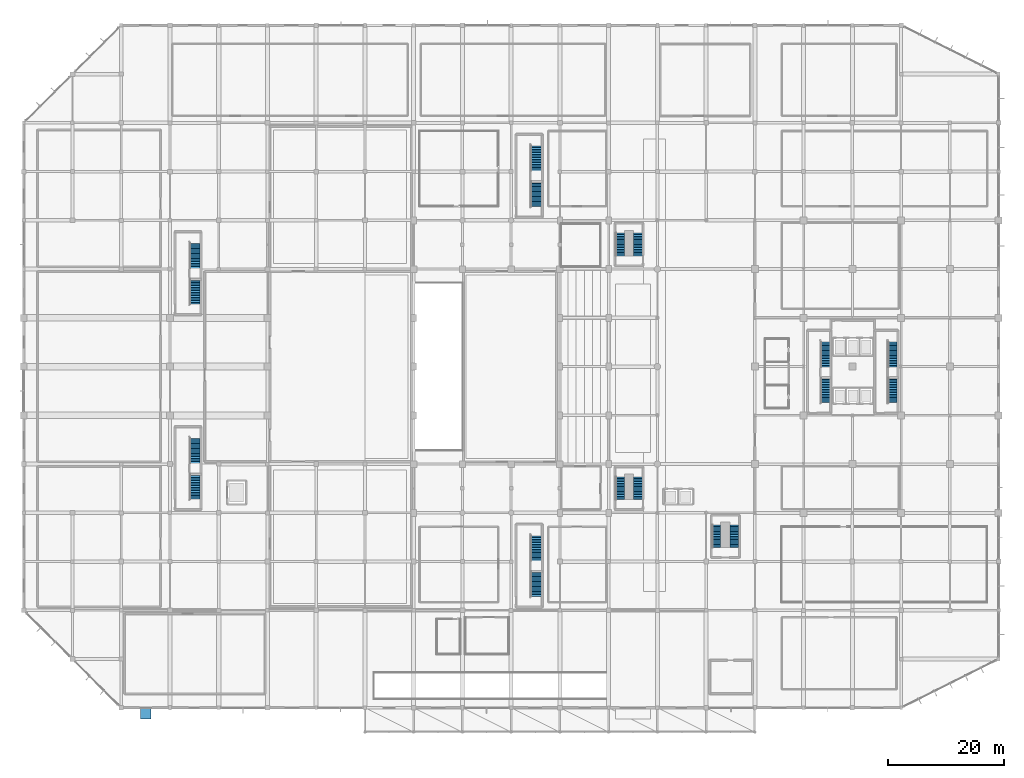
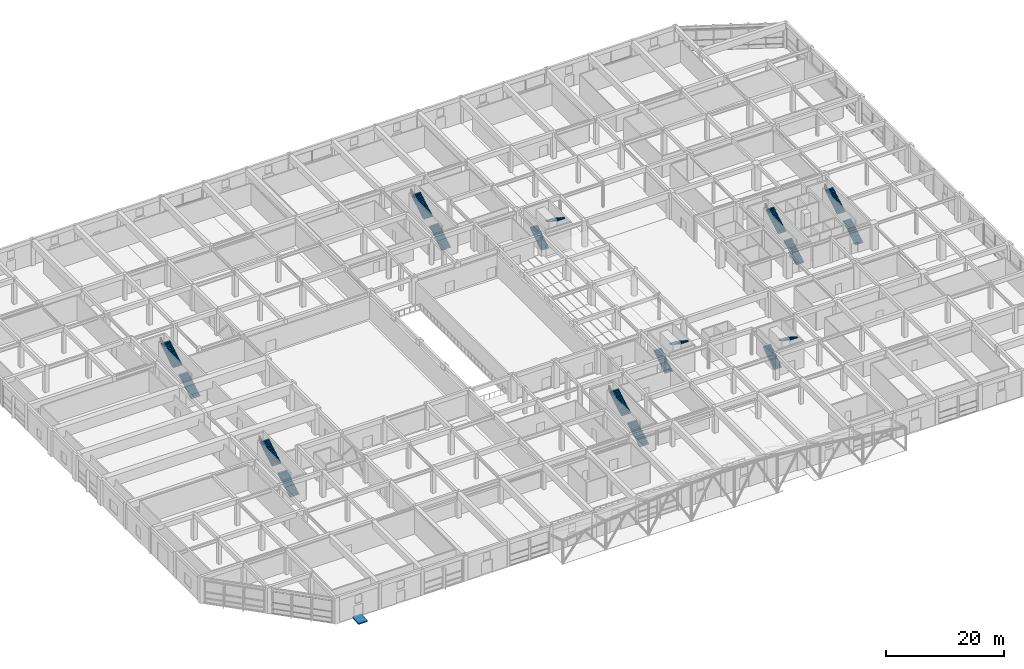
# One storey, part 51 of 62: 18 stair flights, 1 ramp flight, 10 elements without a shape of their own.
"""IFC4 building model written with IfcOpenShell, lengths in metres."""

import ifcopenshell
import ifcopenshell.guid

model = None  # the IFC model being written
_history = None  # IfcOwnerHistory: only IFC2X3 demands one
_inside = {}  # id of a spatial element -> (the spatial element, [elements in it])
_under = {}  # id of a project, library or spatial element -> (it, [spatial elements below it])
_declared = {}  # id of a project -> (the project, [libraries it declares])
_typed = {}  # id of a type object -> (the type object, [elements of that type])
_made_of = {}  # id of a material, layer set ... -> (it, [elements and type objects made of it])


def new_model(schema):
    """Start an empty IFC model of exactly this schema.

    Asked for "IFC4X3", IfcOpenShell would pick the latest addendum, in which some entities
    have other attributes; the version numbers below select the first issue.
    IFC2X3 requires an IfcOwnerHistory on every rooted entity: one is made here for all.
    """
    global model, _history
    if schema == "IFC4X3":
        model = ifcopenshell.file(schema_version=(4, 3, 0, 0))
    else:
        model = ifcopenshell.file(schema=schema)
    _inside.clear()
    _under.clear()
    _declared.clear()
    _typed.clear()
    _made_of.clear()
    _history = None
    if model.schema == "IFC2X3":
        org = make("IfcOrganization", Name="unknown")
        user = make(
            "IfcPersonAndOrganization",
            ThePerson=make("IfcPerson", FamilyName="unknown"),
            TheOrganization=org,
        )
        app = make(
            "IfcApplication",
            ApplicationDeveloper=org,
            Version="unknown",
            ApplicationFullName="unknown",
            ApplicationIdentifier="unknown",
        )
        _history = make(
            "IfcOwnerHistory",
            OwningUser=user,
            OwningApplication=app,
            ChangeAction="ADDED",
            CreationDate=0,
        )
    return model


def make(cls, **values):
    """One entity of the class cls with the attributes given. An attribute that is None is left unset."""
    return model.create_entity(
        cls, **{name: value for name, value in values.items() if value is not None}
    )


def rooted(cls, **values):
    """An entity with a GlobalId (a new one), such as an element, a storey or a relation."""
    return make(cls, GlobalId=ifcopenshell.guid.new(), OwnerHistory=_history, **values)


def si_unit(unit_type, name, prefix=None):
    """IfcSIUnit, for example si_unit("LENGTHUNIT", "METRE", prefix="MILLI")."""
    return make("IfcSIUnit", UnitType=unit_type, Prefix=prefix, Name=name)


def assignment(units):
    """IfcUnitAssignment: the units of a project."""
    return None if units is None else make("IfcUnitAssignment", Units=units)


def point(xyz):
    """IfcCartesianPoint."""
    return None if xyz is None else make("IfcCartesianPoint", Coordinates=xyz)


def direction(xyz):
    """IfcDirection."""
    return None if xyz is None else make("IfcDirection", DirectionRatios=xyz)


def frame(location, z_axis=None, x_axis=None):
    """IfcAxis2Placement3D, a coordinate frame: its origin and axes. An axis left out is left unset."""
    return make(
        "IfcAxis2Placement3D",
        Location=point(location),
        Axis=direction(z_axis),
        RefDirection=direction(x_axis),
    )


def origin():
    """The frame at (0, 0, 0) with its axes left unset."""
    return frame((0.0, 0.0, 0.0))


def place(relative_to, where):
    """IfcLocalPlacement: puts the frame where relative to a parent placement (None: the world)."""
    return make(
        "IfcLocalPlacement", PlacementRelTo=relative_to, RelativePlacement=where
    )


def context(
    kind, dimensions, precision=None, world=None, true_north=None, identifier=None
):
    """IfcGeometricRepresentationContext, for example the 3D "Model" context."""
    return make(
        "IfcGeometricRepresentationContext",
        ContextIdentifier=identifier,
        ContextType=kind,
        CoordinateSpaceDimension=dimensions,
        Precision=precision,
        WorldCoordinateSystem=world,
        TrueNorth=true_north,
    )


def subcontext(parent, identifier, kind, view, scale=None):
    """IfcGeometricRepresentationSubContext, for example "Body" below "Model"."""
    return make(
        "IfcGeometricRepresentationSubContext",
        ContextIdentifier=identifier,
        ContextType=kind,
        ParentContext=parent,
        TargetScale=scale,
        TargetView=view,
    )


def project(units=None, contexts=None):
    """IfcProject with its units and contexts."""
    return rooted(
        "IfcProject",
        Name="project",
        RepresentationContexts=contexts,
        UnitsInContext=assignment(units),
    )


def spatial(cls, under=None, at=None, **own):
    """A site, building, storey or space (cls), placed at a placement, below another one or the project."""
    s = rooted(cls, ObjectPlacement=at, **own)
    if under is not None:
        _under.setdefault(under.id(), (under, []))[1].append(s)
    return s


def polyline(points):
    """IfcPolyline through the points."""
    return make("IfcPolyline", Points=[point(p) for p in points])


def outline(outer, holes=None, kind="AREA"):
    """IfcArbitraryClosedProfileDef: a profile drawn as a closed curve; with holes, ...WithVoids."""
    if holes is None:
        return make("IfcArbitraryClosedProfileDef", ProfileType=kind, OuterCurve=outer)
    return make(
        "IfcArbitraryProfileDefWithVoids",
        ProfileType=kind,
        OuterCurve=outer,
        InnerCurves=holes,
    )


def extrude(swept, where, along, depth):
    """IfcExtrudedAreaSolid: the profile swept, set in the frame where, extruded along a direction by depth."""
    return make(
        "IfcExtrudedAreaSolid",
        SweptArea=swept,
        Position=where,
        ExtrudedDirection=direction(along),
        Depth=depth,
    )


def shape(context_of_items, identifier, shape_type, items):
    """IfcShapeRepresentation: the items that make up one representation, for example the "Body"."""
    return make(
        "IfcShapeRepresentation",
        ContextOfItems=context_of_items,
        RepresentationIdentifier=identifier,
        RepresentationType=shape_type,
        Items=items,
    )


def material(Name=None, Category=None):
    """IfcMaterial."""
    return make("IfcMaterial", Name=Name, Category=Category)


def layer(
    of_material, thickness, ventilated=None, Name=None, Category=None, Priority=None
):
    """IfcMaterialLayer: one layer of a wall or slab, of a material (None: an air gap)."""
    return make(
        "IfcMaterialLayer",
        Material=of_material,
        LayerThickness=thickness,
        IsVentilated=ventilated,
        Name=Name,
        Category=Category,
        Priority=Priority,
    )


def layer_set(layers, Name=None):
    """IfcMaterialLayerSet."""
    return make("IfcMaterialLayerSet", MaterialLayers=layers, LayerSetName=Name)


def made_of(thing, what):
    """Note that an element or type object is made of a material, layer set ...; save() writes the relation."""
    if what is not None:
        _made_of.setdefault(what.id(), (what, []))[1].append(thing)
    return thing


def type_object(cls, material=None, **own):
    """A type object (cls), such as IfcWallType, which elements share."""
    return made_of(rooted(cls, **own), material)


def element(
    cls,
    number,
    at=None,
    inside=None,
    cuts=None,
    type_object=None,
    material=None,
    context=None,
    identifier="Body",
    shape_type=None,
    held_by="IfcProductDefinitionShape",
    body=None,
    shapes=None,
    **own,
):
    """One element of the class cls, such as IfcWall. Its Tag is "e" and its number.

    at: its placement. inside: the storey or other place that contains it. cuts: it is an
    opening in that element (IfcRelVoidsElement). A single representation is given by context,
    identifier, shape_type and body (its items); several are given by shapes. held_by: the class
    of the entity that holds the representations. save() writes the other relations.
    """
    e = rooted(cls, Tag="e%d" % number, ObjectPlacement=at, **own)
    if body is not None:
        shapes = [shape(context, identifier, shape_type, body)]
    if shapes is not None:
        e.Representation = make(held_by, Representations=shapes)
    if inside is not None:
        _inside.setdefault(inside.id(), (inside, []))[1].append(e)
    if cuts is not None:
        rooted(
            "IfcRelVoidsElement", RelatingBuildingElement=cuts, RelatedOpeningElement=e
        )
    if type_object is not None:
        _typed.setdefault(type_object.id(), (type_object, []))[1].append(e)
    return made_of(e, material)


def aggregate(whole, parts):
    """IfcRelAggregates: a whole, such as a stair, and the parts it consists of."""
    return rooted("IfcRelAggregates", RelatingObject=whole, RelatedObjects=parts)


def save(model, path):
    """Write the relations noted so far, then the file.

    IfcRelAggregates (storeys below a building ...), IfcRelContainedInSpatialStructure (elements
    in a storey), IfcRelDefinesByType, IfcRelAssociatesMaterial and IfcRelDeclares: one each for
    every whole, place, type object, material and project.
    """
    for whole, parts in _under.values():
        aggregate(whole, parts)
    for where, things in _inside.values():
        rooted(
            "IfcRelContainedInSpatialStructure",
            RelatedElements=things,
            RelatingStructure=where,
        )
    for kind, things in _typed.values():
        rooted("IfcRelDefinesByType", RelatedObjects=things, RelatingType=kind)
    for what, things in _made_of.values():
        rooted("IfcRelAssociatesMaterial", RelatedObjects=things, RelatingMaterial=what)
    for by, libraries in _declared.values():
        rooted("IfcRelDeclares", RelatingContext=by, RelatedDefinitions=libraries)
    model.write(path)


model = new_model("IFC4")

# Units and contexts
model_context = context("Model", 3, precision=1e-05, world=origin(), true_north=direction((0.0, 1.0)))
body_context = subcontext(model_context, "Body", "Model", "MODEL_VIEW")
ifc_project = project(units=[si_unit("LENGTHUNIT", "METRE"), si_unit("AREAUNIT", "SQUARE_METRE"), si_unit("VOLUMEUNIT", "CUBIC_METRE"), si_unit("PLANEANGLEUNIT", "RADIAN"), si_unit("MASSUNIT", "GRAM", prefix="KILO")], contexts=[model_context])

# Site, building, storey
site_placement = place(None, origin())
site = spatial("IfcSite", under=ifc_project, at=site_placement, CompositionType="ELEMENT")
building_placement = place(site_placement, origin())
building = spatial("IfcBuilding", under=site, at=building_placement, Name="Xuanlan Plaza Opera House", CompositionType="ELEMENT")
storey_placement = place(building_placement, origin())
storey = spatial("IfcBuildingStorey", under=building, at=storey_placement, Name="L00", CompositionType="ELEMENT", Elevation=0.0)

# Stair, stair flights
ifc_material = material(Name="Concrete C40", Category="concrete")
stair_type_1 = type_object("IfcStairType", Name="INT-ST-STR-F130", PredefinedType="HALF_TURN_STAIR", material=ifc_material)
stair_1_placement = place(storey_placement, origin())
stair_1 = element("IfcStair", 1, at=stair_1_placement, inside=storey, type_object=stair_type_1, Name="Grand Foyer Feature Stair ST-F1 L00", PredefinedType="HALF_TURN_STAIR")
ifc_layer_1 = layer(ifc_material, 0.159912109375)
ifc_layer_set_1 = layer_set([ifc_layer_1], Name="Concrete C40")
stair_flight_type_1 = type_object("IfcStairFlightType", Name="INT-FL-FL-130", PredefinedType="STRAIGHT", material=ifc_layer_set_1)
stair_flight_1_placement = place(storey_placement, frame((102.75, 35.8798828125, 0.0), z_axis=(0.0, 0.0, 1.0), x_axis=(0.0, 1.0, 0.0)))
stair_flight_1 = element("IfcStairFlight", 2, at=stair_flight_1_placement, type_object=stair_flight_type_1, Name="ST-F1-L00 flight 1", NumberOfRisers=15, NumberOfTreads=14, PredefinedType="STRAIGHT", RiserHeight=0.18, TreadLength=0.28, context=body_context, shape_type="SweptSolid", body=[
    extrude(outline(polyline([(0.0, 0.0), (0.0, 0.179931640625), (0.280029296875, 0.179931640625), (0.280029296875, 0.360107421875), (0.56005859375, 0.360107421875), (0.56005859375, 0.5400390625), (0.840087890625, 0.5400390625), (0.840087890625, 0.719970703125), (1.1201171875, 0.719970703125), (1.1201171875, 0.89990234375), (1.39990234375, 0.89990234375), (1.39990234375, 1.080078125), (1.679931640625, 1.080078125), (1.679931640625, 1.260009765625), (1.9599609375, 1.260009765625), (1.9599609375, 1.43994140625), (2.239990234375, 1.43994140625), (2.239990234375, 1.6201171875), (2.52001953125, 1.6201171875), (2.52001953125, 1.800048828125), (2.800048828125, 1.800048828125), (2.800048828125, 1.97998046875), (3.080078125, 1.97998046875), (3.080078125, 2.159912109375), (3.360107421875, 2.159912109375), (3.360107421875, 2.340087890625), (3.639892578125, 2.340087890625), (3.639892578125, 2.52001953125), (3.919921875, 2.52001953125), (3.919921875, 2.699951171875), (3.919921875, 2.329833984375), (0.295654296875, 0.0), (0.0, 0.0)])), frame((0.0, 0.75, 0.0), z_axis=(0.0, -1.0, 0.0), x_axis=(1.0, 0.0, 0.0)), (0.0, 0.0, 1.0), 1.5),
])
stair_flight_2_placement = place(storey_placement, frame((105.85009765625, 39.800048828125, 2.699951171875), z_axis=(0.0, 0.0, 1.0), x_axis=(0.0, -1.0, 0.0)))
stair_flight_2 = element("IfcStairFlight", 3, at=stair_flight_2_placement, type_object=stair_flight_type_1, Name="ST-F1-L00 flight 2", NumberOfRisers=15, NumberOfTreads=14, PredefinedType="STRAIGHT", RiserHeight=0.18, TreadLength=0.28, context=body_context, shape_type="SweptSolid", body=[
    extrude(outline(polyline([(0.0, 0.0), (0.0, 0.179931640625), (0.280029296875, 0.179931640625), (0.280029296875, 0.360107421875), (0.56005859375, 0.360107421875), (0.56005859375, 0.5400390625), (0.840087890625, 0.5400390625), (0.840087890625, 0.719970703125), (1.1201171875, 0.719970703125), (1.1201171875, 0.89990234375), (1.39990234375, 0.89990234375), (1.39990234375, 1.080078125), (1.679931640625, 1.080078125), (1.679931640625, 1.260009765625), (1.9599609375, 1.260009765625), (1.9599609375, 1.43994140625), (2.239990234375, 1.43994140625), (2.239990234375, 1.6201171875), (2.52001953125, 1.6201171875), (2.52001953125, 1.800048828125), (2.800048828125, 1.800048828125), (2.800048828125, 1.97998046875), (3.080078125, 1.97998046875), (3.080078125, 2.159912109375), (3.360107421875, 2.159912109375), (3.360107421875, 2.340087890625), (3.639892578125, 2.340087890625), (3.639892578125, 2.52001953125), (3.919921875, 2.52001953125), (3.919921875, 2.699951171875), (3.919921875, 2.329833984375), (0.295654296875, 0.0), (0.0, 0.0)])), frame((0.0, 0.75, 0.0), z_axis=(0.0, -1.0, 0.0), x_axis=(1.0, 0.0, 0.0)), (0.0, 0.0, 1.0), 1.5),
])
aggregate(stair_1, [stair_flight_1, stair_flight_2])

stair_2_placement = place(storey_placement, origin())
stair_2 = element("IfcStair", 4, at=stair_2_placement, inside=storey, type_object=stair_type_1, Name="Grand Foyer Feature Stair ST-F2 L00", PredefinedType="HALF_TURN_STAIR")
stair_flight_3_placement = place(storey_placement, frame((102.75, 77.8798828125, 0.0), z_axis=(0.0, 0.0, 1.0), x_axis=(0.0, 1.0, 0.0)))
stair_flight_3 = element("IfcStairFlight", 5, at=stair_flight_3_placement, type_object=stair_flight_type_1, Name="ST-F2-L00 flight 1", NumberOfRisers=15, NumberOfTreads=14, PredefinedType="STRAIGHT", RiserHeight=0.18, TreadLength=0.28, context=body_context, shape_type="SweptSolid", body=[
    extrude(outline(polyline([(0.0, 0.0), (0.0, 0.179931640625), (0.280029296875, 0.179931640625), (0.280029296875, 0.360107421875), (0.56005859375, 0.360107421875), (0.56005859375, 0.5400390625), (0.840087890625, 0.5400390625), (0.840087890625, 0.719970703125), (1.1201171875, 0.719970703125), (1.1201171875, 0.89990234375), (1.39990234375, 0.89990234375), (1.39990234375, 1.080078125), (1.679931640625, 1.080078125), (1.679931640625, 1.260009765625), (1.9599609375, 1.260009765625), (1.9599609375, 1.43994140625), (2.239990234375, 1.43994140625), (2.239990234375, 1.6201171875), (2.52001953125, 1.6201171875), (2.52001953125, 1.800048828125), (2.800048828125, 1.800048828125), (2.800048828125, 1.97998046875), (3.080078125, 1.97998046875), (3.080078125, 2.159912109375), (3.360107421875, 2.159912109375), (3.360107421875, 2.340087890625), (3.639892578125, 2.340087890625), (3.639892578125, 2.52001953125), (3.919921875, 2.52001953125), (3.919921875, 2.699951171875), (3.919921875, 2.329833984375), (0.295654296875, 0.0), (0.0, 0.0)])), frame((0.0, 0.75, 0.0), z_axis=(0.0, -1.0, 0.0), x_axis=(1.0, 0.0, 0.0)), (0.0, 0.0, 1.0), 1.5),
])
stair_flight_4_placement = place(storey_placement, frame((105.85009765625, 81.800048828125, 2.699951171875), z_axis=(0.0, 0.0, 1.0), x_axis=(0.0, -1.0, 0.0)))
stair_flight_4 = element("IfcStairFlight", 6, at=stair_flight_4_placement, type_object=stair_flight_type_1, Name="ST-F2-L00 flight 2", NumberOfRisers=15, NumberOfTreads=14, PredefinedType="STRAIGHT", RiserHeight=0.18, TreadLength=0.28, context=body_context, shape_type="SweptSolid", body=[
    extrude(outline(polyline([(0.0, 0.0), (0.0, 0.179931640625), (0.280029296875, 0.179931640625), (0.280029296875, 0.360107421875), (0.56005859375, 0.360107421875), (0.56005859375, 0.5400390625), (0.840087890625, 0.5400390625), (0.840087890625, 0.719970703125), (1.1201171875, 0.719970703125), (1.1201171875, 0.89990234375), (1.39990234375, 0.89990234375), (1.39990234375, 1.080078125), (1.679931640625, 1.080078125), (1.679931640625, 1.260009765625), (1.9599609375, 1.260009765625), (1.9599609375, 1.43994140625), (2.239990234375, 1.43994140625), (2.239990234375, 1.6201171875), (2.52001953125, 1.6201171875), (2.52001953125, 1.800048828125), (2.800048828125, 1.800048828125), (2.800048828125, 1.97998046875), (3.080078125, 1.97998046875), (3.080078125, 2.159912109375), (3.360107421875, 2.159912109375), (3.360107421875, 2.340087890625), (3.639892578125, 2.340087890625), (3.639892578125, 2.52001953125), (3.919921875, 2.52001953125), (3.919921875, 2.699951171875), (3.919921875, 2.329833984375), (0.295654296875, 0.0), (0.0, 0.0)])), frame((0.0, 0.75, 0.0), z_axis=(0.0, -1.0, 0.0), x_axis=(1.0, 0.0, 0.0)), (0.0, 0.0, 1.0), 1.5),
])
aggregate(stair_2, [stair_flight_3, stair_flight_4])

stair_type_2 = type_object("IfcStairType", Name="INT-ST-STR-F135", PredefinedType="HALF_TURN_STAIR", material=ifc_material)
stair_3_placement = place(storey_placement, origin())
stair_3 = element("IfcStair", 7, at=stair_3_placement, inside=storey, type_object=stair_type_2, Name="Grand Foyer Feature Stair ST-F3 L00", PredefinedType="HALF_TURN_STAIR")
stair_flight_5_placement = place(storey_placement, frame((119.35009765625, 27.580078125, 0.0), z_axis=(0.0, 0.0, 1.0), x_axis=(0.0, 1.0, 0.0)))
stair_flight_5 = element("IfcStairFlight", 8, at=stair_flight_5_placement, type_object=stair_flight_type_1, Name="ST-F3-L00 flight 1", NumberOfRisers=15, NumberOfTreads=14, PredefinedType="STRAIGHT", RiserHeight=0.18, TreadLength=0.28, context=body_context, shape_type="SweptSolid", body=[
    extrude(outline(polyline([(0.0, 0.0), (0.0, 0.179931640625), (0.280029296875, 0.179931640625), (0.280029296875, 0.360107421875), (0.56005859375, 0.360107421875), (0.56005859375, 0.5400390625), (0.840087890625, 0.5400390625), (0.840087890625, 0.719970703125), (1.1201171875, 0.719970703125), (1.1201171875, 0.89990234375), (1.39990234375, 0.89990234375), (1.39990234375, 1.080078125), (1.679931640625, 1.080078125), (1.679931640625, 1.260009765625), (1.9599609375, 1.260009765625), (1.9599609375, 1.43994140625), (2.239990234375, 1.43994140625), (2.239990234375, 1.6201171875), (2.52001953125, 1.6201171875), (2.52001953125, 1.800048828125), (2.800048828125, 1.800048828125), (2.800048828125, 1.97998046875), (3.080078125, 1.97998046875), (3.080078125, 2.159912109375), (3.360107421875, 2.159912109375), (3.360107421875, 2.340087890625), (3.639892578125, 2.340087890625), (3.639892578125, 2.52001953125), (3.919921875, 2.52001953125), (3.919921875, 2.699951171875), (3.919921875, 2.329833984375), (0.295654296875, 0.0), (0.0, 0.0)])), frame((0.0, 0.75, 0.0), z_axis=(0.0, -1.0, 0.0), x_axis=(1.0, 0.0, 0.0)), (0.0, 0.0, 1.0), 1.5),
])
stair_flight_6_placement = place(storey_placement, frame((122.449951171875, 31.5, 2.699951171875), z_axis=(0.0, 0.0, 1.0), x_axis=(0.0, -1.0, 0.0)))
stair_flight_6 = element("IfcStairFlight", 9, at=stair_flight_6_placement, type_object=stair_flight_type_1, Name="ST-F3-L00 flight 2", NumberOfRisers=15, NumberOfTreads=14, PredefinedType="STRAIGHT", RiserHeight=0.18, TreadLength=0.28, context=body_context, shape_type="SweptSolid", body=[
    extrude(outline(polyline([(0.0, 0.0), (0.0, 0.179931640625), (0.280029296875, 0.179931640625), (0.280029296875, 0.360107421875), (0.56005859375, 0.360107421875), (0.56005859375, 0.5400390625), (0.840087890625, 0.5400390625), (0.840087890625, 0.719970703125), (1.1201171875, 0.719970703125), (1.1201171875, 0.89990234375), (1.39990234375, 0.89990234375), (1.39990234375, 1.080078125), (1.679931640625, 1.080078125), (1.679931640625, 1.260009765625), (1.9599609375, 1.260009765625), (1.9599609375, 1.43994140625), (2.239990234375, 1.43994140625), (2.239990234375, 1.6201171875), (2.52001953125, 1.6201171875), (2.52001953125, 1.800048828125), (2.800048828125, 1.800048828125), (2.800048828125, 1.97998046875), (3.080078125, 1.97998046875), (3.080078125, 2.159912109375), (3.360107421875, 2.159912109375), (3.360107421875, 2.340087890625), (3.639892578125, 2.340087890625), (3.639892578125, 2.52001953125), (3.919921875, 2.52001953125), (3.919921875, 2.699951171875), (3.919921875, 2.329833984375), (0.295654296875, 0.0), (0.0, 0.0)])), frame((0.0, 0.75, 0.0), z_axis=(0.0, -1.0, 0.0), x_axis=(1.0, 0.0, 0.0)), (0.0, 0.0, 1.0), 1.5),
])
aggregate(stair_3, [stair_flight_5, stair_flight_6])

stair_type_3 = type_object("IfcStairType", Name="INT-ST-STR-T155", PredefinedType="STRAIGHT_RUN_STAIR", material=ifc_material)
stair_4_placement = place(storey_placement, origin())
stair_4 = element("IfcStair", 10, at=stair_4_placement, inside=storey, type_object=stair_type_3, Name="Protected Exit Stair ST-T1 L00", PredefinedType="STRAIGHT_RUN_STAIR")
ifc_layer_2 = layer(ifc_material, 0.159912109375)
ifc_layer_set_2 = layer_set([ifc_layer_2], Name="Concrete C40")
stair_flight_type_2 = type_object("IfcStairFlightType", Name="INT-FL-FL-155", PredefinedType="STRAIGHT", material=ifc_layer_set_2)
stair_flight_7_placement = place(storey_placement, frame((138.125, 52.60009765625, 0.0), z_axis=(0.0, 0.0, 1.0), x_axis=(0.0, 1.0, 0.0)))
stair_flight_7 = element("IfcStairFlight", 11, at=stair_flight_7_placement, type_object=stair_flight_type_2, Name="ST-T1-L00 flight 1", NumberOfRisers=16, NumberOfTreads=15, PredefinedType="STRAIGHT", RiserHeight=0.16875, TreadLength=0.285, context=body_context, shape_type="SweptSolid", body=[
    extrude(outline(polyline([(0.0, 0.0), (0.0, 0.168701171875), (0.284912109375, 0.168701171875), (0.284912109375, 0.33740234375), (0.570068359375, 0.33740234375), (0.570068359375, 0.50634765625), (0.85498046875, 0.50634765625), (0.85498046875, 0.675048828125), (1.139892578125, 0.675048828125), (1.139892578125, 0.84375), (1.425048828125, 0.84375), (1.425048828125, 1.012451171875), (1.7099609375, 1.012451171875), (1.7099609375, 1.18115234375), (1.9951171875, 1.18115234375), (1.9951171875, 1.35009765625), (2.280029296875, 1.35009765625), (2.280029296875, 1.518798828125), (2.56494140625, 1.518798828125), (2.56494140625, 1.6875), (2.85009765625, 1.6875), (2.85009765625, 1.856201171875), (3.135009765625, 1.856201171875), (3.135009765625, 2.02490234375), (3.419921875, 2.02490234375), (3.419921875, 2.19384765625), (3.705078125, 2.19384765625), (3.705078125, 2.362548828125), (3.989990234375, 2.362548828125), (3.989990234375, 2.53125), (4.27490234375, 2.53125), (4.27490234375, 2.699951171875), (4.27490234375, 2.345458984375), (0.31396484375, 0.0), (0.0, 0.0)])), frame((0.0, 0.77490234375, 0.0), z_axis=(0.0, -1.0, 0.0), x_axis=(1.0, 0.0, 0.0)), (0.0, 0.0, 1.0), 1.550048828125),
])
stair_flight_8_placement = place(storey_placement, frame((138.125, 58.72509765625, 2.699951171875), z_axis=(0.0, 0.0, 1.0), x_axis=(0.0, 1.0, 0.0)))
stair_flight_8 = element("IfcStairFlight", 12, at=stair_flight_8_placement, type_object=stair_flight_type_2, Name="ST-T1-L00 flight 2", NumberOfRisers=16, NumberOfTreads=15, PredefinedType="STRAIGHT", RiserHeight=0.16875, TreadLength=0.285, context=body_context, shape_type="SweptSolid", body=[
    extrude(outline(polyline([(0.0, 0.0), (0.0, 0.168701171875), (0.284912109375, 0.168701171875), (0.284912109375, 0.33740234375), (0.570068359375, 0.33740234375), (0.570068359375, 0.50634765625), (0.85498046875, 0.50634765625), (0.85498046875, 0.675048828125), (1.139892578125, 0.675048828125), (1.139892578125, 0.84375), (1.425048828125, 0.84375), (1.425048828125, 1.012451171875), (1.7099609375, 1.012451171875), (1.7099609375, 1.18115234375), (1.9951171875, 1.18115234375), (1.9951171875, 1.35009765625), (2.280029296875, 1.35009765625), (2.280029296875, 1.518798828125), (2.56494140625, 1.518798828125), (2.56494140625, 1.6875), (2.85009765625, 1.6875), (2.85009765625, 1.856201171875), (3.135009765625, 1.856201171875), (3.135009765625, 2.02490234375), (3.419921875, 2.02490234375), (3.419921875, 2.19384765625), (3.705078125, 2.19384765625), (3.705078125, 2.362548828125), (3.989990234375, 2.362548828125), (3.989990234375, 2.53125), (4.27490234375, 2.53125), (4.27490234375, 2.699951171875), (4.27490234375, 2.345458984375), (0.31396484375, 0.0), (0.0, 0.0)])), frame((0.0, 0.77490234375, 0.0), z_axis=(0.0, -1.0, 0.0), x_axis=(1.0, 0.0, 0.0)), (0.0, 0.0, 1.0), 1.550048828125),
])
aggregate(stair_4, [stair_flight_7, stair_flight_8])

stair_5_placement = place(storey_placement, origin())
stair_5 = element("IfcStair", 13, at=stair_5_placement, inside=storey, type_object=stair_type_3, Name="Protected Exit Stair ST-T2 L00", PredefinedType="STRAIGHT_RUN_STAIR")
stair_flight_9_placement = place(storey_placement, frame((149.72509765625, 52.60009765625, 0.0), z_axis=(0.0, 0.0, 1.0), x_axis=(0.0, 1.0, 0.0)))
stair_flight_9 = element("IfcStairFlight", 14, at=stair_flight_9_placement, type_object=stair_flight_type_2, Name="ST-T2-L00 flight 1", NumberOfRisers=16, NumberOfTreads=15, PredefinedType="STRAIGHT", RiserHeight=0.16875, TreadLength=0.285, context=body_context, shape_type="SweptSolid", body=[
    extrude(outline(polyline([(0.0, 0.0), (0.0, 0.168701171875), (0.284912109375, 0.168701171875), (0.284912109375, 0.33740234375), (0.570068359375, 0.33740234375), (0.570068359375, 0.50634765625), (0.85498046875, 0.50634765625), (0.85498046875, 0.675048828125), (1.139892578125, 0.675048828125), (1.139892578125, 0.84375), (1.425048828125, 0.84375), (1.425048828125, 1.012451171875), (1.7099609375, 1.012451171875), (1.7099609375, 1.18115234375), (1.9951171875, 1.18115234375), (1.9951171875, 1.35009765625), (2.280029296875, 1.35009765625), (2.280029296875, 1.518798828125), (2.56494140625, 1.518798828125), (2.56494140625, 1.6875), (2.85009765625, 1.6875), (2.85009765625, 1.856201171875), (3.135009765625, 1.856201171875), (3.135009765625, 2.02490234375), (3.419921875, 2.02490234375), (3.419921875, 2.19384765625), (3.705078125, 2.19384765625), (3.705078125, 2.362548828125), (3.989990234375, 2.362548828125), (3.989990234375, 2.53125), (4.27490234375, 2.53125), (4.27490234375, 2.699951171875), (4.27490234375, 2.345458984375), (0.31396484375, 0.0), (0.0, 0.0)])), frame((0.0, 0.77490234375, 0.0), z_axis=(0.0, -1.0, 0.0), x_axis=(1.0, 0.0, 0.0)), (0.0, 0.0, 1.0), 1.550048828125),
])
stair_flight_10_placement = place(storey_placement, frame((149.72509765625, 58.72509765625, 2.699951171875), z_axis=(0.0, 0.0, 1.0), x_axis=(0.0, 1.0, 0.0)))
stair_flight_10 = element("IfcStairFlight", 15, at=stair_flight_10_placement, type_object=stair_flight_type_2, Name="ST-T2-L00 flight 2", NumberOfRisers=16, NumberOfTreads=15, PredefinedType="STRAIGHT", RiserHeight=0.16875, TreadLength=0.285, context=body_context, shape_type="SweptSolid", body=[
    extrude(outline(polyline([(0.0, 0.0), (0.0, 0.168701171875), (0.284912109375, 0.168701171875), (0.284912109375, 0.33740234375), (0.570068359375, 0.33740234375), (0.570068359375, 0.50634765625), (0.85498046875, 0.50634765625), (0.85498046875, 0.675048828125), (1.139892578125, 0.675048828125), (1.139892578125, 0.84375), (1.425048828125, 0.84375), (1.425048828125, 1.012451171875), (1.7099609375, 1.012451171875), (1.7099609375, 1.18115234375), (1.9951171875, 1.18115234375), (1.9951171875, 1.35009765625), (2.280029296875, 1.35009765625), (2.280029296875, 1.518798828125), (2.56494140625, 1.518798828125), (2.56494140625, 1.6875), (2.85009765625, 1.6875), (2.85009765625, 1.856201171875), (3.135009765625, 1.856201171875), (3.135009765625, 2.02490234375), (3.419921875, 2.02490234375), (3.419921875, 2.19384765625), (3.705078125, 2.19384765625), (3.705078125, 2.362548828125), (3.989990234375, 2.362548828125), (3.989990234375, 2.53125), (4.27490234375, 2.53125), (4.27490234375, 2.699951171875), (4.27490234375, 2.345458984375), (0.31396484375, 0.0), (0.0, 0.0)])), frame((0.0, 0.77490234375, 0.0), z_axis=(0.0, -1.0, 0.0), x_axis=(1.0, 0.0, 0.0)), (0.0, 0.0, 1.0), 1.550048828125),
])
aggregate(stair_5, [stair_flight_9, stair_flight_10])

stair_type_4 = type_object("IfcStairType", Name="INT-ST-STR-P180", PredefinedType="STRAIGHT_RUN_STAIR", material=ifc_material)
stair_6_placement = place(storey_placement, origin())
stair_6 = element("IfcStair", 16, at=stair_6_placement, inside=storey, type_object=stair_type_4, Name="Protected Exit Stair ST-P1 L00", PredefinedType="STRAIGHT_RUN_STAIR")
ifc_layer_3 = layer(ifc_material, 0.179931640625)
ifc_layer_set_3 = layer_set([ifc_layer_3], Name="Concrete C40")
stair_flight_type_3 = type_object("IfcStairFlightType", Name="INT-FL-FL-180", PredefinedType="STRAIGHT", material=ifc_layer_set_3)
stair_flight_11_placement = place(storey_placement, frame((29.5, 36.0, 0.0), z_axis=(0.0, 0.0, 1.0), x_axis=(0.0, 1.0, 0.0)))
stair_flight_11 = element("IfcStairFlight", 17, at=stair_flight_11_placement, type_object=stair_flight_type_3, Name="ST-P1-L00 flight 1", NumberOfRisers=16, NumberOfTreads=15, PredefinedType="STRAIGHT", RiserHeight=0.16875, TreadLength=0.285, context=body_context, shape_type="SweptSolid", body=[
    extrude(outline(polyline([(0.0, 0.0), (0.0, 0.168701171875), (0.284912109375, 0.168701171875), (0.284912109375, 0.33740234375), (0.570068359375, 0.33740234375), (0.570068359375, 0.50634765625), (0.85498046875, 0.50634765625), (0.85498046875, 0.675048828125), (1.139892578125, 0.675048828125), (1.139892578125, 0.84375), (1.425048828125, 0.84375), (1.425048828125, 1.012451171875), (1.7099609375, 1.012451171875), (1.7099609375, 1.18115234375), (1.9951171875, 1.18115234375), (1.9951171875, 1.35009765625), (2.280029296875, 1.35009765625), (2.280029296875, 1.518798828125), (2.56494140625, 1.518798828125), (2.56494140625, 1.6875), (2.85009765625, 1.6875), (2.85009765625, 1.856201171875), (3.135009765625, 1.856201171875), (3.135009765625, 2.02490234375), (3.419921875, 2.02490234375), (3.419921875, 2.19384765625), (3.705078125, 2.19384765625), (3.705078125, 2.362548828125), (3.989990234375, 2.362548828125), (3.989990234375, 2.53125), (4.27490234375, 2.53125), (4.27490234375, 2.699951171875), (4.27490234375, 2.345458984375), (0.31396484375, 0.0), (0.0, 0.0)])), frame((0.0, 0.89990234375, 0.0), z_axis=(0.0, -1.0, 0.0), x_axis=(1.0, 0.0, 0.0)), (0.0, 0.0, 1.0), 1.800048828125),
])
stair_flight_12_placement = place(storey_placement, frame((29.5, 42.125, 2.699951171875), z_axis=(0.0, 0.0, 1.0), x_axis=(0.0, 1.0, 0.0)))
stair_flight_12 = element("IfcStairFlight", 18, at=stair_flight_12_placement, type_object=stair_flight_type_3, Name="ST-P1-L00 flight 2", NumberOfRisers=16, NumberOfTreads=15, PredefinedType="STRAIGHT", RiserHeight=0.16875, TreadLength=0.285, context=body_context, shape_type="SweptSolid", body=[
    extrude(outline(polyline([(0.0, 0.0), (0.0, 0.168701171875), (0.284912109375, 0.168701171875), (0.284912109375, 0.33740234375), (0.570068359375, 0.33740234375), (0.570068359375, 0.50634765625), (0.85498046875, 0.50634765625), (0.85498046875, 0.675048828125), (1.139892578125, 0.675048828125), (1.139892578125, 0.84375), (1.425048828125, 0.84375), (1.425048828125, 1.012451171875), (1.7099609375, 1.012451171875), (1.7099609375, 1.18115234375), (1.9951171875, 1.18115234375), (1.9951171875, 1.35009765625), (2.280029296875, 1.35009765625), (2.280029296875, 1.518798828125), (2.56494140625, 1.518798828125), (2.56494140625, 1.6875), (2.85009765625, 1.6875), (2.85009765625, 1.856201171875), (3.135009765625, 1.856201171875), (3.135009765625, 2.02490234375), (3.419921875, 2.02490234375), (3.419921875, 2.19384765625), (3.705078125, 2.19384765625), (3.705078125, 2.362548828125), (3.989990234375, 2.362548828125), (3.989990234375, 2.53125), (4.27490234375, 2.53125), (4.27490234375, 2.699951171875), (4.27490234375, 2.345458984375), (0.31396484375, 0.0), (0.0, 0.0)])), frame((0.0, 0.89990234375, 0.0), z_axis=(0.0, -1.0, 0.0), x_axis=(1.0, 0.0, 0.0)), (0.0, 0.0, 1.0), 1.800048828125),
])
aggregate(stair_6, [stair_flight_11, stair_flight_12])

stair_7_placement = place(storey_placement, origin())
stair_7 = element("IfcStair", 19, at=stair_7_placement, inside=storey, type_object=stair_type_4, Name="Protected Exit Stair ST-P2 L00", PredefinedType="STRAIGHT_RUN_STAIR")
stair_flight_13_placement = place(storey_placement, frame((29.5, 69.60009765625, 0.0), z_axis=(0.0, 0.0, 1.0), x_axis=(0.0, 1.0, 0.0)))
stair_flight_13 = element("IfcStairFlight", 20, at=stair_flight_13_placement, type_object=stair_flight_type_3, Name="ST-P2-L00 flight 1", NumberOfRisers=16, NumberOfTreads=15, PredefinedType="STRAIGHT", RiserHeight=0.16875, TreadLength=0.285, context=body_context, shape_type="SweptSolid", body=[
    extrude(outline(polyline([(0.0, 0.0), (0.0, 0.168701171875), (0.284912109375, 0.168701171875), (0.284912109375, 0.33740234375), (0.570068359375, 0.33740234375), (0.570068359375, 0.50634765625), (0.85498046875, 0.50634765625), (0.85498046875, 0.675048828125), (1.139892578125, 0.675048828125), (1.139892578125, 0.84375), (1.425048828125, 0.84375), (1.425048828125, 1.012451171875), (1.7099609375, 1.012451171875), (1.7099609375, 1.18115234375), (1.9951171875, 1.18115234375), (1.9951171875, 1.35009765625), (2.280029296875, 1.35009765625), (2.280029296875, 1.518798828125), (2.56494140625, 1.518798828125), (2.56494140625, 1.6875), (2.85009765625, 1.6875), (2.85009765625, 1.856201171875), (3.135009765625, 1.856201171875), (3.135009765625, 2.02490234375), (3.419921875, 2.02490234375), (3.419921875, 2.19384765625), (3.705078125, 2.19384765625), (3.705078125, 2.362548828125), (3.989990234375, 2.362548828125), (3.989990234375, 2.53125), (4.27490234375, 2.53125), (4.27490234375, 2.699951171875), (4.27490234375, 2.345458984375), (0.31396484375, 0.0), (0.0, 0.0)])), frame((0.0, 0.89990234375, 0.0), z_axis=(0.0, -1.0, 0.0), x_axis=(1.0, 0.0, 0.0)), (0.0, 0.0, 1.0), 1.800048828125),
])
stair_flight_14_placement = place(storey_placement, frame((29.5, 75.72509765625, 2.699951171875), z_axis=(0.0, 0.0, 1.0), x_axis=(0.0, 1.0, 0.0)))
stair_flight_14 = element("IfcStairFlight", 21, at=stair_flight_14_placement, type_object=stair_flight_type_3, Name="ST-P2-L00 flight 2", NumberOfRisers=16, NumberOfTreads=15, PredefinedType="STRAIGHT", RiserHeight=0.16875, TreadLength=0.285, context=body_context, shape_type="SweptSolid", body=[
    extrude(outline(polyline([(0.0, 0.0), (0.0, 0.168701171875), (0.284912109375, 0.168701171875), (0.284912109375, 0.33740234375), (0.570068359375, 0.33740234375), (0.570068359375, 0.50634765625), (0.85498046875, 0.50634765625), (0.85498046875, 0.675048828125), (1.139892578125, 0.675048828125), (1.139892578125, 0.84375), (1.425048828125, 0.84375), (1.425048828125, 1.012451171875), (1.7099609375, 1.012451171875), (1.7099609375, 1.18115234375), (1.9951171875, 1.18115234375), (1.9951171875, 1.35009765625), (2.280029296875, 1.35009765625), (2.280029296875, 1.518798828125), (2.56494140625, 1.518798828125), (2.56494140625, 1.6875), (2.85009765625, 1.6875), (2.85009765625, 1.856201171875), (3.135009765625, 1.856201171875), (3.135009765625, 2.02490234375), (3.419921875, 2.02490234375), (3.419921875, 2.19384765625), (3.705078125, 2.19384765625), (3.705078125, 2.362548828125), (3.989990234375, 2.362548828125), (3.989990234375, 2.53125), (4.27490234375, 2.53125), (4.27490234375, 2.699951171875), (4.27490234375, 2.345458984375), (0.31396484375, 0.0), (0.0, 0.0)])), frame((0.0, 0.89990234375, 0.0), z_axis=(0.0, -1.0, 0.0), x_axis=(1.0, 0.0, 0.0)), (0.0, 0.0, 1.0), 1.800048828125),
])
aggregate(stair_7, [stair_flight_13, stair_flight_14])

stair_8_placement = place(storey_placement, origin())
stair_8 = element("IfcStair", 22, at=stair_8_placement, inside=storey, type_object=stair_type_4, Name="Protected Exit Stair ST-P3 L00", PredefinedType="STRAIGHT_RUN_STAIR")
stair_flight_15_placement = place(storey_placement, frame((88.300048828125, 19.199951171875, 0.0), z_axis=(0.0, 0.0, 1.0), x_axis=(0.0, 1.0, 0.0)))
stair_flight_15 = element("IfcStairFlight", 23, at=stair_flight_15_placement, type_object=stair_flight_type_3, Name="ST-P3-L00 flight 1", NumberOfRisers=16, NumberOfTreads=15, PredefinedType="STRAIGHT", RiserHeight=0.16875, TreadLength=0.285, context=body_context, shape_type="SweptSolid", body=[
    extrude(outline(polyline([(0.0, 0.0), (0.0, 0.168701171875), (0.284912109375, 0.168701171875), (0.284912109375, 0.33740234375), (0.570068359375, 0.33740234375), (0.570068359375, 0.50634765625), (0.85498046875, 0.50634765625), (0.85498046875, 0.675048828125), (1.139892578125, 0.675048828125), (1.139892578125, 0.84375), (1.425048828125, 0.84375), (1.425048828125, 1.012451171875), (1.7099609375, 1.012451171875), (1.7099609375, 1.18115234375), (1.9951171875, 1.18115234375), (1.9951171875, 1.35009765625), (2.280029296875, 1.35009765625), (2.280029296875, 1.518798828125), (2.56494140625, 1.518798828125), (2.56494140625, 1.6875), (2.85009765625, 1.6875), (2.85009765625, 1.856201171875), (3.135009765625, 1.856201171875), (3.135009765625, 2.02490234375), (3.419921875, 2.02490234375), (3.419921875, 2.19384765625), (3.705078125, 2.19384765625), (3.705078125, 2.362548828125), (3.989990234375, 2.362548828125), (3.989990234375, 2.53125), (4.27490234375, 2.53125), (4.27490234375, 2.699951171875), (4.27490234375, 2.345458984375), (0.31396484375, 0.0), (0.0, 0.0)])), frame((0.0, 0.89990234375, 0.0), z_axis=(0.0, -1.0, 0.0), x_axis=(1.0, 0.0, 0.0)), (0.0, 0.0, 1.0), 1.800048828125),
])
stair_flight_16_placement = place(storey_placement, frame((88.300048828125, 25.324951171875, 2.699951171875), z_axis=(0.0, 0.0, 1.0), x_axis=(0.0, 1.0, 0.0)))
stair_flight_16 = element("IfcStairFlight", 24, at=stair_flight_16_placement, type_object=stair_flight_type_3, Name="ST-P3-L00 flight 2", NumberOfRisers=16, NumberOfTreads=15, PredefinedType="STRAIGHT", RiserHeight=0.16875, TreadLength=0.285, context=body_context, shape_type="SweptSolid", body=[
    extrude(outline(polyline([(0.0, 0.0), (0.0, 0.168701171875), (0.284912109375, 0.168701171875), (0.284912109375, 0.33740234375), (0.570068359375, 0.33740234375), (0.570068359375, 0.50634765625), (0.85498046875, 0.50634765625), (0.85498046875, 0.675048828125), (1.139892578125, 0.675048828125), (1.139892578125, 0.84375), (1.425048828125, 0.84375), (1.425048828125, 1.012451171875), (1.7099609375, 1.012451171875), (1.7099609375, 1.18115234375), (1.9951171875, 1.18115234375), (1.9951171875, 1.35009765625), (2.280029296875, 1.35009765625), (2.280029296875, 1.518798828125), (2.56494140625, 1.518798828125), (2.56494140625, 1.6875), (2.85009765625, 1.6875), (2.85009765625, 1.856201171875), (3.135009765625, 1.856201171875), (3.135009765625, 2.02490234375), (3.419921875, 2.02490234375), (3.419921875, 2.19384765625), (3.705078125, 2.19384765625), (3.705078125, 2.362548828125), (3.989990234375, 2.362548828125), (3.989990234375, 2.53125), (4.27490234375, 2.53125), (4.27490234375, 2.699951171875), (4.27490234375, 2.345458984375), (0.31396484375, 0.0), (0.0, 0.0)])), frame((0.0, 0.89990234375, 0.0), z_axis=(0.0, -1.0, 0.0), x_axis=(1.0, 0.0, 0.0)), (0.0, 0.0, 1.0), 1.800048828125),
])
aggregate(stair_8, [stair_flight_15, stair_flight_16])

stair_9_placement = place(storey_placement, origin())
stair_9 = element("IfcStair", 25, at=stair_9_placement, inside=storey, type_object=stair_type_4, Name="Protected Exit Stair ST-P4 L00", PredefinedType="STRAIGHT_RUN_STAIR")
stair_flight_17_placement = place(storey_placement, frame((88.300048828125, 86.39990234375, 0.0), z_axis=(0.0, 0.0, 1.0), x_axis=(0.0, 1.0, 0.0)))
stair_flight_17 = element("IfcStairFlight", 26, at=stair_flight_17_placement, type_object=stair_flight_type_3, Name="ST-P4-L00 flight 1", NumberOfRisers=16, NumberOfTreads=15, PredefinedType="STRAIGHT", RiserHeight=0.16875, TreadLength=0.285, context=body_context, shape_type="SweptSolid", body=[
    extrude(outline(polyline([(0.0, 0.0), (0.0, 0.168701171875), (0.284912109375, 0.168701171875), (0.284912109375, 0.33740234375), (0.570068359375, 0.33740234375), (0.570068359375, 0.50634765625), (0.85498046875, 0.50634765625), (0.85498046875, 0.675048828125), (1.139892578125, 0.675048828125), (1.139892578125, 0.84375), (1.425048828125, 0.84375), (1.425048828125, 1.012451171875), (1.7099609375, 1.012451171875), (1.7099609375, 1.18115234375), (1.9951171875, 1.18115234375), (1.9951171875, 1.35009765625), (2.280029296875, 1.35009765625), (2.280029296875, 1.518798828125), (2.56494140625, 1.518798828125), (2.56494140625, 1.6875), (2.85009765625, 1.6875), (2.85009765625, 1.856201171875), (3.135009765625, 1.856201171875), (3.135009765625, 2.02490234375), (3.419921875, 2.02490234375), (3.419921875, 2.19384765625), (3.705078125, 2.19384765625), (3.705078125, 2.362548828125), (3.989990234375, 2.362548828125), (3.989990234375, 2.53125), (4.27490234375, 2.53125), (4.27490234375, 2.699951171875), (4.27490234375, 2.345458984375), (0.31396484375, 0.0), (0.0, 0.0)])), frame((0.0, 0.89990234375, 0.0), z_axis=(0.0, -1.0, 0.0), x_axis=(1.0, 0.0, 0.0)), (0.0, 0.0, 1.0), 1.800048828125),
])
stair_flight_18_placement = place(storey_placement, frame((88.300048828125, 92.52490234375, 2.699951171875), z_axis=(0.0, 0.0, 1.0), x_axis=(0.0, 1.0, 0.0)))
stair_flight_18 = element("IfcStairFlight", 27, at=stair_flight_18_placement, type_object=stair_flight_type_3, Name="ST-P4-L00 flight 2", NumberOfRisers=16, NumberOfTreads=15, PredefinedType="STRAIGHT", RiserHeight=0.16875, TreadLength=0.285, context=body_context, shape_type="SweptSolid", body=[
    extrude(outline(polyline([(0.0, 0.0), (0.0, 0.168701171875), (0.284912109375, 0.168701171875), (0.284912109375, 0.33740234375), (0.570068359375, 0.33740234375), (0.570068359375, 0.50634765625), (0.85498046875, 0.50634765625), (0.85498046875, 0.675048828125), (1.139892578125, 0.675048828125), (1.139892578125, 0.84375), (1.425048828125, 0.84375), (1.425048828125, 1.012451171875), (1.7099609375, 1.012451171875), (1.7099609375, 1.18115234375), (1.9951171875, 1.18115234375), (1.9951171875, 1.35009765625), (2.280029296875, 1.35009765625), (2.280029296875, 1.518798828125), (2.56494140625, 1.518798828125), (2.56494140625, 1.6875), (2.85009765625, 1.6875), (2.85009765625, 1.856201171875), (3.135009765625, 1.856201171875), (3.135009765625, 2.02490234375), (3.419921875, 2.02490234375), (3.419921875, 2.19384765625), (3.705078125, 2.19384765625), (3.705078125, 2.362548828125), (3.989990234375, 2.362548828125), (3.989990234375, 2.53125), (4.27490234375, 2.53125), (4.27490234375, 2.699951171875), (4.27490234375, 2.345458984375), (0.31396484375, 0.0), (0.0, 0.0)])), frame((0.0, 0.89990234375, 0.0), z_axis=(0.0, -1.0, 0.0), x_axis=(1.0, 0.0, 0.0)), (0.0, 0.0, 1.0), 1.800048828125),
])
aggregate(stair_9, [stair_flight_17, stair_flight_18])

# Ramp, ramp flight
ramp_type = type_object("IfcRampType", Name="ENV-RMP-01", PredefinedType="STRAIGHT_RUN_RAMP", material=ifc_material)
ramp_placement = place(storey_placement, origin())
ramp = element("IfcRamp", 28, at=ramp_placement, inside=storey, type_object=ramp_type, Name="Civic Plaza Accessible Entrance Ramp", PredefinedType="STRAIGHT_RUN_RAMP")
ifc_layer_4 = layer(ifc_material, 0.25)
ifc_layer_set_4 = layer_set([ifc_layer_4], Name="Concrete C40")
ramp_flight_type = type_object("IfcRampFlightType", Name="ENV-RMPF-01", PredefinedType="STRAIGHT", material=ifc_layer_set_4)
ramp_flight_placement = place(storey_placement, frame((20.10009765625, -1.919921875, -0.159912109375), z_axis=(0.0, -0.074176195116, 0.997245151444), x_axis=(1.0, 0.0, 0.0)))
ramp_flight = element("IfcRampFlight", 29, at=ramp_flight_placement, type_object=ramp_flight_type, Name="Plaza Accessible Ramp Flight", PredefinedType="STRAIGHT", context=body_context, shape_type="SweptSolid", body=[
    extrude(outline(polyline([(0.0, 0.0), (1.799804688, 0.0), (1.799804688, 2.15584136), (0.0, 2.15584136), (0.0, 0.0)])), origin(), (0.0, 0.0, -1.0), 0.25),
])
aggregate(ramp, [ramp_flight])

save(model, "model.ifc")
